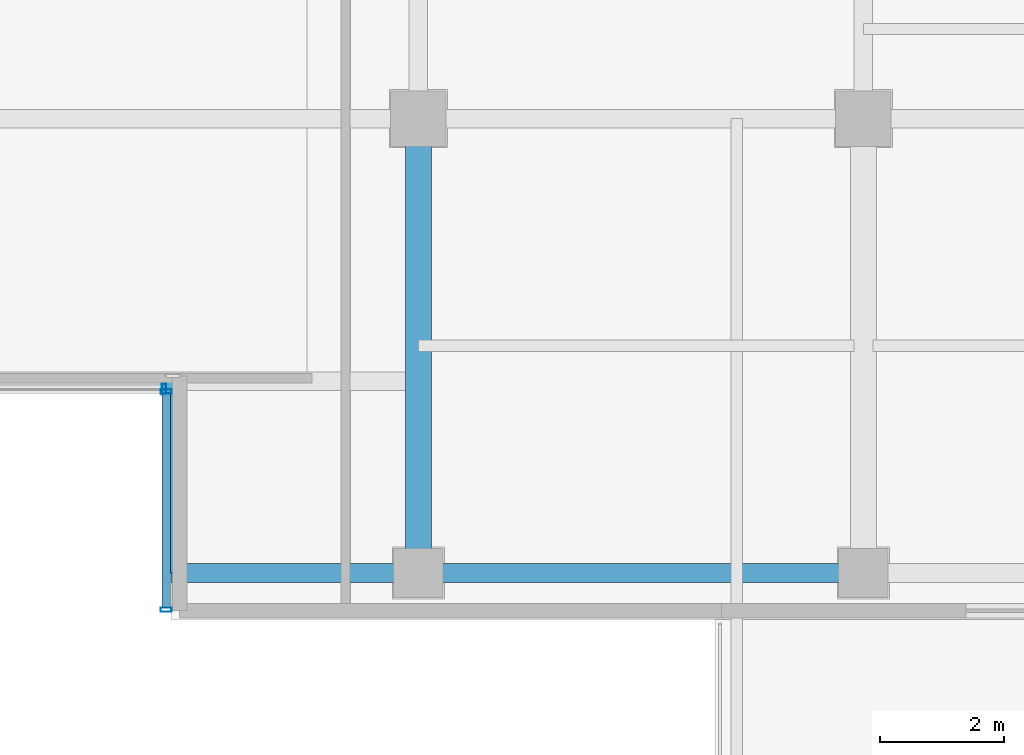
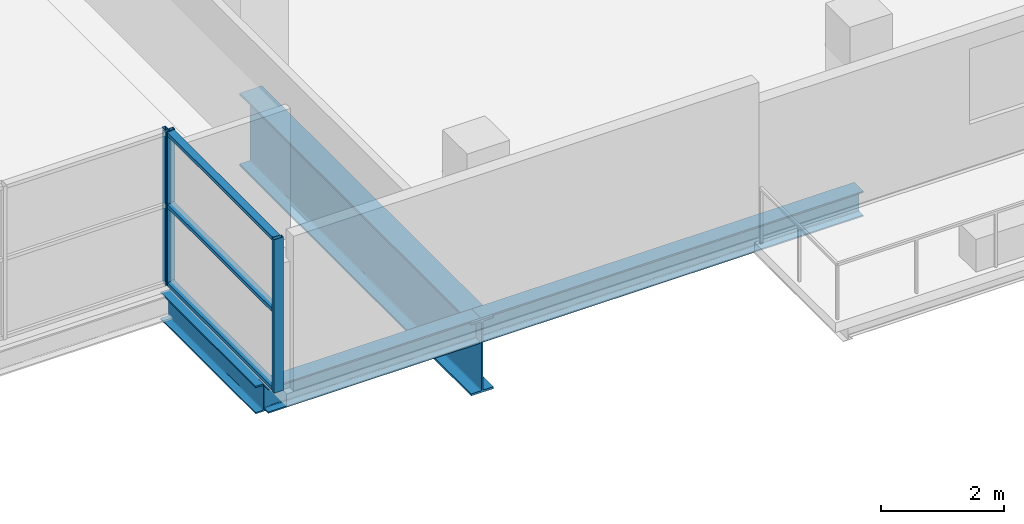
# One storey, part 11 of 27: 6 members, 4 beams, 2 elements without a shape of their own.
"""IFC4 building model written with IfcOpenShell, lengths in metres."""

from ifc_helpers import new_model, si_unit, direction, frame, origin, origin_2d, place, context, subcontext, project, spatial, hollow_rectangle, i_section, extrude, source, transform, mapped, material, layer, layer_set, material_profile, profile_set, type_object, element, aggregate, save


model = new_model("IFC4")

# Units and contexts
model_context = context("Model", 3, precision=1e-05, world=origin(), true_north=direction((0.0, 1.0)))
body_context = subcontext(model_context, "Body", "Model", "MODEL_VIEW")
ifc_project = project(units=[si_unit("LENGTHUNIT", "METRE"), si_unit("AREAUNIT", "SQUARE_METRE"), si_unit("VOLUMEUNIT", "CUBIC_METRE"), si_unit("PLANEANGLEUNIT", "RADIAN"), si_unit("MASSUNIT", "GRAM", prefix="KILO")], contexts=[model_context])

# Site, building, storey
site_placement = place(None, origin())
site = spatial("IfcSite", under=ifc_project, at=site_placement, CompositionType="ELEMENT")
building_placement = place(site_placement, origin())
building = spatial("IfcBuilding", under=site, at=building_placement, Name="Zarnakvel Exchange Tower", CompositionType="ELEMENT")
storey_placement = place(building_placement, frame((0.0, 0.0, 86.800048828125)))
storey = spatial("IfcBuildingStorey", under=building, at=storey_placement, Name="L23", CompositionType="ELEMENT", Elevation=86.800048828125)

# Beams
ifc_material_1 = material(Name="Steel S355", Category="steel")
ifc_material_profile_1 = material_profile(ifc_material_1, i_section(OverallWidth=0.300048828125, OverallDepth=0.550048828125, WebThickness=0.014892578125, FlangeThickness=0.029052734375, FilletRadius=0.027099609375, at=origin_2d()))
ifc_profile_set_1 = profile_set([ifc_material_profile_1], Name="Steel S355")
beam_type_1 = type_object("IfcBeamType", Name="G-05", PredefinedType="BEAM", material=ifc_profile_set_1)
beam_1_placement = place(storey_placement, frame((3.199951171875, -16.949951171875, -0.525146484375), z_axis=(0.0, 1.0, 0.0), x_axis=(-1.0, 0.0, 0.0)))
element("IfcBeam", 1, at=beam_1_placement, inside=storey, type_object=beam_type_1, Name="L23 South Slot East Cheek Beam", PredefinedType="BEAM", context=body_context, shape_type="SweptSolid", body=[
    extrude(i_section(OverallWidth=0.300048828125, OverallDepth=0.550048828125, WebThickness=0.014892578125, FlangeThickness=0.029052734375, FilletRadius=0.027099609375, at=origin_2d()), origin(), (0.0, 0.0, 1.0), 3.099853515625),
])
ifc_material_profile_2 = material_profile(ifc_material_1, i_section(OverallWidth=0.300048828125, OverallDepth=0.5, WebThickness=0.014404296875, FlangeThickness=0.028076171875, FilletRadius=0.027099609375, at=origin_2d()))
ifc_profile_set_2 = profile_set([ifc_material_profile_2], Name="Steel S355")
beam_type_2 = type_object("IfcBeamType", Name="SP-02", PredefinedType="SPANDREL", material=ifc_profile_set_2)
beam_2_placement = place(storey_placement, frame((3.199951171875, -16.949951171875, -0.5), z_axis=(1.0, 0.0, 0.0), x_axis=(0.0, 1.0, 0.0)))
element("IfcBeam", 2, at=beam_2_placement, inside=storey, type_object=beam_type_2, Name="L23 South Slot East Jamb Spandrel", PredefinedType="SPANDREL", context=body_context, shape_type="SweptSolid", body=[
    extrude(i_section(OverallWidth=0.300048828125, OverallDepth=0.5, WebThickness=0.014404296875, FlangeThickness=0.028076171875, FilletRadius=0.027099609375, at=origin_2d()), origin(), (0.0, 0.0, 1.0), 4.0),
])
beam_3_placement = place(storey_placement, frame((7.199951171875, -16.949951171875, -0.5), z_axis=(1.0, 0.0, 0.0), x_axis=(0.0, 1.0, 0.0)))
element("IfcBeam", 3, at=beam_3_placement, inside=storey, type_object=beam_type_2, Name="L23 Tower E-W Frame Beam", PredefinedType="SPANDREL", context=body_context, shape_type="SweptSolid", body=[
    extrude(i_section(OverallWidth=0.300048828125, OverallDepth=0.5, WebThickness=0.014404296875, FlangeThickness=0.028076171875, FilletRadius=0.027099609375, at=origin_2d()), origin(), (0.0, 0.0, 1.0), 7.199951171875),
])
ifc_material_2 = material(Name="Steel S460", Category="steel")
ifc_material_profile_3 = material_profile(ifc_material_2, i_section(OverallWidth=0.419921875, OverallDepth=1.449951171875, WebThickness=0.02392578125, FlangeThickness=0.0400390625, FilletRadius=0.030029296875, at=origin_2d()))
ifc_profile_set_3 = profile_set([ifc_material_profile_3], Name="Steel S460")
beam_type_3 = type_object("IfcBeamType", Name="TG-01", PredefinedType="BEAM", material=ifc_profile_set_3)
beam_4_placement = place(storey_placement, frame((7.199951171875, -17.14990234375, -0.97509765625), z_axis=(0.0, 1.0, 0.0), x_axis=(-1.0, 0.0, 0.0)))
element("IfcBeam", 4, at=beam_4_placement, inside=storey, type_object=beam_type_3, Name="L23 Setback N-S Transfer Girder TS-8", PredefinedType="BEAM", context=body_context, shape_type="SweptSolid", body=[
    extrude(i_section(OverallWidth=0.419921875, OverallDepth=1.449951171875, WebThickness=0.02392578125, FlangeThickness=0.0400390625, FilletRadius=0.030029296875, at=origin_2d()), origin(), (0.0, 0.0, 1.0), 7.5498046875),
])

# Curtain wall, members
ifc_material_3 = material(Name="Architectural Bronze Anodised Aluminium", Category="aluminium")
ifc_layer = layer(ifc_material_3, 0.179931640625)
ifc_layer_set = layer_set([ifc_layer], Name="Architectural Bronze Anodised Aluminium")
curtain_wall_type = type_object("IfcCurtainWallType", Name="CW-05", PredefinedType="NOTDEFINED", material=ifc_layer_set)
curtain_wall_1_placement = place(storey_placement, origin())
curtain_wall_1 = element("IfcCurtainWall", 5, at=curtain_wall_1_placement, inside=storey, type_object=curtain_wall_type, Name="L23 Curtain Wall CW-L23-SLE (CW-05)", PredefinedType="NOTDEFINED")
ifc_material_profile_4 = material_profile(ifc_material_3, hollow_rectangle(XDim=0.139892578125, YDim=0.070068359375, WallThickness=0.00390625, at=origin_2d()))
ifc_profile_set_4 = profile_set([ifc_material_profile_4], Name="Architectural Bronze Anodised Aluminium")
member_type_1 = type_object("IfcMemberType", Name="CWT-05", PredefinedType="USERDEFINED", material=ifc_profile_set_4)
shared_shape_1 = source(origin(), body_context, "Body", "SweptSolid", [
    extrude(hollow_rectangle(XDim=0.139892578125, YDim=0.070068359375, WallThickness=0.00390625, at=origin_2d()), origin(), (0.0, 0.0, 1.0), 3.4599609375),
])
member_1_placement = place(storey_placement, frame((3.1201171875, -14.050048828125, 0.034912109375), z_axis=(0.0, -1.0, 0.0), x_axis=(1.0, 0.0, 0.0)))
member_1 = element("IfcMember", 6, at=member_1_placement, type_object=member_type_1, Name="CW-05 transom 1.1", ObjectType="TRANSOM", PredefinedType="USERDEFINED", context=body_context, shape_type="MappedRepresentation", body=[
    mapped(shared_shape_1, transform((0.0, 0.0, 0.0), x_axis=(1.0, 0.0, 0.0), y_axis=(0.0, 1.0, 0.0), z_axis=(0.0, 0.0, 1.0), scale=1.0)),
])
member_2_placement = place(storey_placement, frame((3.1201171875, -14.050048828125, 1.588623046875), z_axis=(0.0, -1.0, 0.0), x_axis=(1.0, 0.0, 0.0)))
member_2 = element("IfcMember", 7, at=member_2_placement, type_object=member_type_1, Name="CW-05 transom 1.2", ObjectType="TRANSOM", PredefinedType="USERDEFINED", context=body_context, shape_type="MappedRepresentation", body=[
    mapped(shared_shape_1, transform((0.0, 0.0, 0.0), x_axis=(1.0, 0.0, 0.0), y_axis=(0.0, 1.0, 0.0), z_axis=(0.0, 0.0, 1.0), scale=1.0)),
])
member_3_placement = place(storey_placement, frame((3.1201171875, -14.050048828125, 3.02001953125), z_axis=(0.0, -1.0, 0.0), x_axis=(1.0, 0.0, 0.0)))
member_3 = element("IfcMember", 8, at=member_3_placement, type_object=member_type_1, Name="CW-05 transom 1.3", ObjectType="TRANSOM", PredefinedType="USERDEFINED", context=body_context, shape_type="MappedRepresentation", body=[
    mapped(shared_shape_1, transform((0.0, 0.0, 0.0), x_axis=(1.0, 0.0, 0.0), y_axis=(0.0, 1.0, 0.0), z_axis=(0.0, 0.0, 1.0), scale=1.0)),
])

# Curtain wall, member
curtain_wall_2_placement = place(storey_placement, origin())
curtain_wall_2 = element("IfcCurtainWall", 9, at=curtain_wall_2_placement, inside=storey, type_object=curtain_wall_type, Name="L23 Curtain Wall CW-L23-SLB (CW-05)", PredefinedType="NOTDEFINED")
ifc_material_profile_5 = material_profile(ifc_material_3, hollow_rectangle(XDim=0.179931640625, YDim=0.070068359375, WallThickness=0.00390625, at=origin_2d()))
ifc_profile_set_5 = profile_set([ifc_material_profile_5], Name="Architectural Bronze Anodised Aluminium")
member_type_2 = type_object("IfcMemberType", Name="CWM-05", PredefinedType="MULLION", material=ifc_profile_set_5)
shared_shape_2 = source(origin(), body_context, "Body", "SweptSolid", [
    extrude(hollow_rectangle(XDim=0.179931640625, YDim=0.070068359375, WallThickness=0.00390625, at=origin_2d()), origin(), (0.0, 0.0, 1.0), 3.054931640625),
])
member_4_placement = place(storey_placement, frame((3.0849609375, -13.97998046875, 0.0), z_axis=(0.0, 0.0, 1.0), x_axis=(0.0, 1.0, 0.0)))
member_4 = element("IfcMember", 10, at=member_4_placement, type_object=member_type_2, Name="CW-05 mullion 3", PredefinedType="MULLION", context=body_context, shape_type="MappedRepresentation", body=[
    mapped(shared_shape_2, transform((0.0, 0.0, 0.0), x_axis=(1.0, 0.0, 0.0), y_axis=(0.0, 1.0, 0.0), z_axis=(0.0, 0.0, 1.0), scale=1.0)),
])
aggregate(curtain_wall_2, [member_4])

# Member
member_5_placement = place(storey_placement, frame((3.1201171875, -14.014892578125, 0.0), z_axis=(0.0, 0.0, 1.0), x_axis=(1.0, 0.0, 0.0)))
member_5 = element("IfcMember", 11, at=member_5_placement, type_object=member_type_2, Name="CW-05 mullion 1", PredefinedType="MULLION", context=body_context, shape_type="MappedRepresentation", body=[
    mapped(shared_shape_2, transform((0.0, 0.0, 0.0), x_axis=(1.0, 0.0, 0.0), y_axis=(0.0, 1.0, 0.0), z_axis=(0.0, 0.0, 1.0), scale=1.0)),
])

member_6_placement = place(storey_placement, frame((3.1201171875, -17.544921875, 0.0), z_axis=(0.0, 0.0, 1.0), x_axis=(1.0, 0.0, 0.0)))
member_6 = element("IfcMember", 12, at=member_6_placement, type_object=member_type_2, Name="CW-05 mullion 2", PredefinedType="MULLION", context=body_context, shape_type="MappedRepresentation", body=[
    mapped(shared_shape_2, transform((0.0, 0.0, 0.0), x_axis=(1.0, 0.0, 0.0), y_axis=(0.0, 1.0, 0.0), z_axis=(0.0, 0.0, 1.0), scale=1.0)),
])

aggregate(curtain_wall_1, [member_5, member_6, member_1, member_2, member_3])

save(model, "model.ifc")
